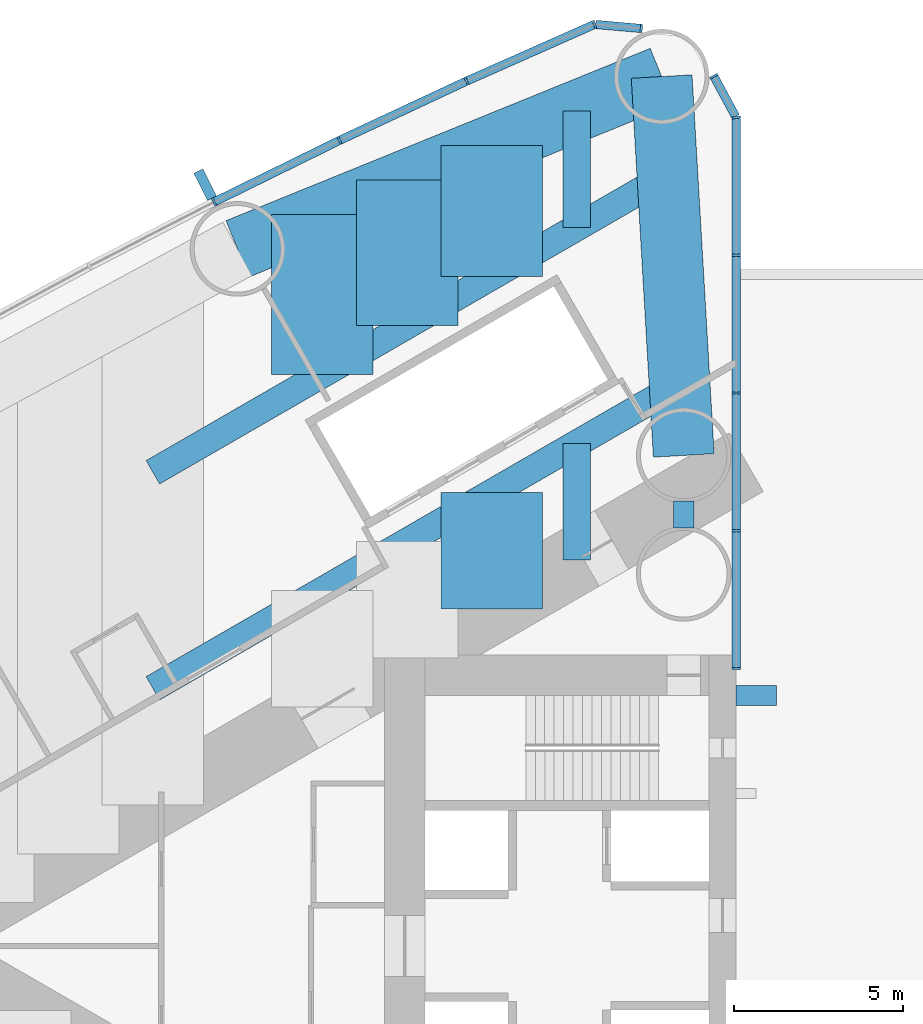
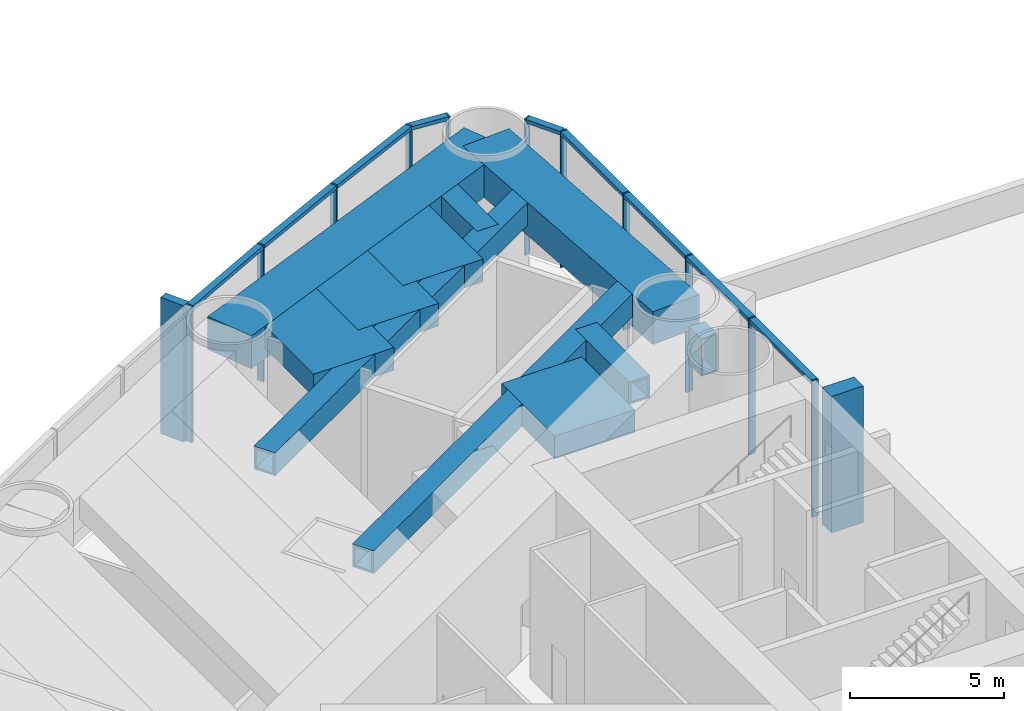
# One storey, part 9 of 23: 22 members, 11 beams, 2 elements without a shape of their own.
"""IFC4 building model written with IfcOpenShell, lengths in metres."""

from ifc_helpers import new_model, si_unit, direction, frame, origin, origin_2d, place, context, subcontext, project, spatial, rectangle, hollow_rectangle, extrude, material, material_profile, profile_set, type_object, element, aggregate, save


model = new_model("IFC4")

# Units and contexts
model_context = context("Model", 3, precision=1e-05, world=origin(), true_north=direction((0.0, 1.0)))
body_context = subcontext(model_context, "Body", "Model", "MODEL_VIEW")
ifc_project = project(units=[si_unit("LENGTHUNIT", "METRE"), si_unit("AREAUNIT", "SQUARE_METRE"), si_unit("VOLUMEUNIT", "CUBIC_METRE"), si_unit("PLANEANGLEUNIT", "RADIAN"), si_unit("MASSUNIT", "GRAM", prefix="KILO")], contexts=[model_context])

# Site, building, storey
site_placement = place(None, origin())
site = spatial("IfcSite", under=ifc_project, at=site_placement, CompositionType="ELEMENT")
building_placement = place(site_placement, origin())
building = spatial("IfcBuilding", under=site, at=building_placement, Name="Lancet Gate Hotel", CompositionType="ELEMENT")
storey_placement = place(building_placement, frame((0.0, 0.0, 12.60009765625)))
storey = spatial("IfcBuildingStorey", under=building, at=storey_placement, Name="L02", CompositionType="ELEMENT", Elevation=12.60009765625)

# Curtain wall, members
ifc_material_1 = material(Name="Aluminium curtain wall", Category="aluminium")
curtain_wall_type = type_object("IfcCurtainWallType", Name="Podium curtain wall", PredefinedType="USERDEFINED", material=ifc_material_1)
curtain_wall_1_placement = place(storey_placement, origin())
curtain_wall_1 = element("IfcCurtainWall", 1, at=curtain_wall_1_placement, inside=storey, type_object=curtain_wall_type, Name="T1 L02 curtain wall 1", ObjectType="UNITISED CURTAIN WALL", PredefinedType="USERDEFINED")
ifc_material_2 = material(Name="Aluminium mullion", Category="aluminium")
ifc_material_profile_1 = material_profile(ifc_material_2, rectangle(XDim=0.06494140625, YDim=0.25, at=origin_2d()), Name="MULLION 65x250")
ifc_profile_set_1 = profile_set([ifc_material_profile_1], Name="Aluminium mullion")
member_type_1 = type_object("IfcMemberType", Name="Aluminium mullion 65x250", PredefinedType="MULLION", material=ifc_profile_set_1)
member_1_placement = place(storey_placement, frame((-27.5, 8.199951171875, 0.0), z_axis=(0.0, 0.0, 1.0), x_axis=(0.0, 1.0, 0.0)))
member_1 = element("IfcMember", 2, at=member_1_placement, type_object=member_type_1, Name="T1 L02 curtain wall 1 mullion 1", PredefinedType="MULLION", context=body_context, shape_type="SweptSolid", body=[
    extrude(rectangle(XDim=0.06494140625, YDim=0.25, at=origin_2d()), origin(), (0.0, 0.0, 1.0), 5.39990234375),
])
member_2_placement = place(storey_placement, frame((-27.5, 12.272705078125, 0.0), z_axis=(0.0, 0.0, 1.0), x_axis=(0.0, 1.0, 0.0)))
member_2 = element("IfcMember", 3, at=member_2_placement, type_object=member_type_1, Name="T1 L02 curtain wall 1 mullion 2", PredefinedType="MULLION", context=body_context, shape_type="SweptSolid", body=[
    extrude(rectangle(XDim=0.06494140625, YDim=0.25, at=origin_2d()), origin(), (0.0, 0.0, 1.0), 5.39990234375),
])
member_3_placement = place(storey_placement, frame((-27.5, 16.345703125, 0.0), z_axis=(0.0, 0.0, 1.0), x_axis=(0.0, 1.0, 0.0)))
member_3 = element("IfcMember", 4, at=member_3_placement, type_object=member_type_1, Name="T1 L02 curtain wall 1 mullion 3", PredefinedType="MULLION", context=body_context, shape_type="SweptSolid", body=[
    extrude(rectangle(XDim=0.06494140625, YDim=0.25, at=origin_2d()), origin(), (0.0, 0.0, 1.0), 5.39990234375),
])
member_4_placement = place(storey_placement, frame((-27.5, 20.41845703125, 0.0), z_axis=(0.0, 0.0, 1.0), x_axis=(0.0, 1.0, 0.0)))
member_4 = element("IfcMember", 5, at=member_4_placement, type_object=member_type_1, Name="T1 L02 curtain wall 1 mullion 4", PredefinedType="MULLION", context=body_context, shape_type="SweptSolid", body=[
    extrude(rectangle(XDim=0.06494140625, YDim=0.25, at=origin_2d()), origin(), (0.0, 0.0, 1.0), 5.39990234375),
])
member_5_placement = place(storey_placement, frame((-27.5, 24.4912109375, 0.0), z_axis=(0.0, 0.0, 1.0), x_axis=(-0.123482502544, 0.992346749662, 0.0)))
member_5 = element("IfcMember", 6, at=member_5_placement, type_object=member_type_1, Name="T1 L02 curtain wall 1 mullion 5", PredefinedType="MULLION", context=body_context, shape_type="SweptSolid", body=[
    extrude(rectangle(XDim=0.06494140625, YDim=0.25, at=origin_2d()), origin(), (0.0, 0.0, 1.0), 5.39990234375),
])
member_6_placement = place(storey_placement, frame((-28.158935546875, 25.712890625, 0.0), z_axis=(0.0, 0.0, 1.0), x_axis=(-0.474631040972, 0.880184852714, 0.0)))
member_6 = element("IfcMember", 7, at=member_6_placement, type_object=member_type_1, Name="T1 L02 curtain wall 1 mullion 6", PredefinedType="MULLION", context=body_context, shape_type="SweptSolid", body=[
    extrude(rectangle(XDim=0.06494140625, YDim=0.25, at=origin_2d()), origin(), (0.0, 0.0, 1.0), 5.39990234375),
])

curtain_wall_2_placement = place(storey_placement, origin())
curtain_wall_2 = element("IfcCurtainWall", 8, at=curtain_wall_2_placement, inside=storey, type_object=curtain_wall_type, Name="T1 L02 curtain wall 2", ObjectType="UNITISED CURTAIN WALL", PredefinedType="USERDEFINED")
member_7_placement = place(storey_placement, frame((-30.3046875, 27.124755859375, 0.0), z_axis=(0.0, 0.0, 1.0), x_axis=(-0.99620380374, 0.087051602022, 0.0)))
member_7 = element("IfcMember", 9, at=member_7_placement, type_object=member_type_1, Name="T1 L02 curtain wall 2 mullion 1", PredefinedType="MULLION", context=body_context, shape_type="SweptSolid", body=[
    extrude(rectangle(XDim=0.06494140625, YDim=0.25, at=origin_2d()), origin(), (0.0, 0.0, 1.0), 5.39990234375),
])
member_8_placement = place(storey_placement, frame((-31.688720703125, 27.24560546875, 0.0), z_axis=(0.0, 0.0, 1.0), x_axis=(-0.957524354695, -0.288352406209, 0.0)))
member_8 = element("IfcMember", 10, at=member_8_placement, type_object=member_type_1, Name="T1 L02 curtain wall 2 mullion 2", PredefinedType="MULLION", context=body_context, shape_type="SweptSolid", body=[
    extrude(rectangle(XDim=0.06494140625, YDim=0.25, at=origin_2d()), origin(), (0.0, 0.0, 1.0), 5.39990234375),
])
member_9_placement = place(storey_placement, frame((-35.473876953125, 25.568115234375, 0.0), z_axis=(0.0, 0.0, 1.0), x_axis=(-0.910219680212, -0.414125746308, 0.0)))
member_9 = element("IfcMember", 11, at=member_9_placement, type_object=member_type_1, Name="T1 L02 curtain wall 2 mullion 3", PredefinedType="MULLION", context=body_context, shape_type="SweptSolid", body=[
    extrude(rectangle(XDim=0.06494140625, YDim=0.25, at=origin_2d()), origin(), (0.0, 0.0, 1.0), 5.39990234375),
])
member_10_placement = place(storey_placement, frame((-39.225341796875, 23.816650390625, 0.0), z_axis=(0.0, 0.0, 1.0), x_axis=(-0.901928838337, -0.431884672772, 0.0)))
member_10 = element("IfcMember", 12, at=member_10_placement, type_object=member_type_1, Name="T1 L02 curtain wall 2 mullion 4", PredefinedType="MULLION", context=body_context, shape_type="SweptSolid", body=[
    extrude(rectangle(XDim=0.06494140625, YDim=0.25, at=origin_2d()), origin(), (0.0, 0.0, 1.0), 5.39990234375),
])
member_11_placement = place(storey_placement, frame((-42.94189453125, 21.991943359375, 0.0), z_axis=(0.0, 0.0, 1.0), x_axis=(-0.893291549794, -0.449477704748, 0.0)))
member_11 = element("IfcMember", 13, at=member_11_placement, type_object=member_type_1, Name="T1 L02 curtain wall 2 mullion 5", PredefinedType="MULLION", context=body_context, shape_type="SweptSolid", body=[
    extrude(rectangle(XDim=0.06494140625, YDim=0.25, at=origin_2d()), origin(), (0.0, 0.0, 1.0), 5.39990234375),
])

# Member
ifc_material_3 = material(Name="Aluminium transom", Category="aluminium")
ifc_material_profile_2 = material_profile(ifc_material_3, rectangle(XDim=0.25, YDim=0.14990234375, at=origin_2d()), Name="TRANSOM 250x150")
ifc_profile_set_2 = profile_set([ifc_material_profile_2], Name="Aluminium transom")
member_type_2 = type_object("IfcMemberType", Name="Aluminium transom 250x150", PredefinedType="USERDEFINED", material=ifc_profile_set_2)
member_12_placement = place(storey_placement, frame((-27.5, 8.232421875, 5.324951171875), z_axis=(0.0, 1.0, 0.0), x_axis=(-1.0, 0.0, 0.0)))
member_12 = element("IfcMember", 14, at=member_12_placement, type_object=member_type_2, Name="T1 L02 curtain wall 1 transom 1", ObjectType="TRANSOM", PredefinedType="USERDEFINED", context=body_context, shape_type="SweptSolid", body=[
    extrude(rectangle(XDim=0.25, YDim=0.14990234375, at=origin_2d()), origin(), (0.0, 0.0, 1.0), 4.0078125),
])

member_13_placement = place(storey_placement, frame((-27.5, 12.30517578125, 5.324951171875), z_axis=(0.0, 1.0, 0.0), x_axis=(-1.0, 0.0, 0.0)))
member_13 = element("IfcMember", 15, at=member_13_placement, type_object=member_type_2, Name="T1 L02 curtain wall 1 transom 2", ObjectType="TRANSOM", PredefinedType="USERDEFINED", context=body_context, shape_type="SweptSolid", body=[
    extrude(rectangle(XDim=0.25, YDim=0.14990234375, at=origin_2d()), origin(), (0.0, 0.0, 1.0), 4.0078125),
])

member_14_placement = place(storey_placement, frame((-27.5, 16.378173828125, 5.324951171875), z_axis=(0.0, 1.0, 0.0), x_axis=(-1.0, 0.0, 0.0)))
member_14 = element("IfcMember", 16, at=member_14_placement, type_object=member_type_2, Name="T1 L02 curtain wall 1 transom 3", ObjectType="TRANSOM", PredefinedType="USERDEFINED", context=body_context, shape_type="SweptSolid", body=[
    extrude(rectangle(XDim=0.25, YDim=0.14990234375, at=origin_2d()), origin(), (0.0, 0.0, 1.0), 4.0078125),
])

member_15_placement = place(storey_placement, frame((-27.5, 20.450927734375, 5.324951171875), z_axis=(0.0, 1.0, 0.0), x_axis=(-1.0, 0.0, 0.0)))
member_15 = element("IfcMember", 17, at=member_15_placement, type_object=member_type_2, Name="T1 L02 curtain wall 1 transom 4", ObjectType="TRANSOM", PredefinedType="USERDEFINED", context=body_context, shape_type="SweptSolid", body=[
    extrude(rectangle(XDim=0.25, YDim=0.14990234375, at=origin_2d()), origin(), (0.0, 0.0, 1.0), 4.0078125),
])

member_16_placement = place(storey_placement, frame((-27.515380859375, 24.519775390625, 5.324951171875), z_axis=(-0.474605926905, 0.880198394765, 0.0), x_axis=(-0.880198394765, -0.474605926905, 0.0)))
member_16 = element("IfcMember", 18, at=member_16_placement, type_object=member_type_2, Name="T1 L02 curtain wall 1 transom 5", ObjectType="TRANSOM", PredefinedType="USERDEFINED", context=body_context, shape_type="SweptSolid", body=[
    extrude(rectangle(XDim=0.25, YDim=0.14990234375, at=origin_2d()), origin(), (0.0, 0.0, 1.0), 1.322998046875),
])

aggregate(curtain_wall_1, [member_1, member_2, member_3, member_4, member_5, member_6, member_12, member_13, member_14, member_15, member_16])

member_17_placement = place(storey_placement, frame((-30.337158203125, 27.127685546875, 5.324951171875), z_axis=(-0.99620591587, 0.087027427779, 0.0), x_axis=(-0.087027427779, -0.99620591587, 0.0)))
member_17 = element("IfcMember", 19, at=member_17_placement, type_object=member_type_2, Name="T1 L02 curtain wall 2 transom 1", ObjectType="TRANSOM", PredefinedType="USERDEFINED", context=body_context, shape_type="SweptSolid", body=[
    extrude(rectangle(XDim=0.25, YDim=0.14990234375, at=origin_2d()), origin(), (0.0, 0.0, 1.0), 1.32421875),
])

member_18_placement = place(storey_placement, frame((-31.71826171875, 27.232421875, 5.324951171875), z_axis=(-0.914248281954, -0.405154389022, 0.0), x_axis=(0.405154389022, -0.914248281954, 0.0)))
member_18 = element("IfcMember", 20, at=member_18_placement, type_object=member_type_2, Name="T1 L02 curtain wall 2 transom 2", ObjectType="TRANSOM", PredefinedType="USERDEFINED", context=body_context, shape_type="SweptSolid", body=[
    extrude(rectangle(XDim=0.25, YDim=0.14990234375, at=origin_2d()), origin(), (0.0, 0.0, 1.0), 4.0751953125),
])

member_19_placement = place(storey_placement, frame((-35.503173828125, 25.554443359375, 5.324951171875), z_axis=(-0.906109667261, -0.423042871228, 0.0), x_axis=(0.423042871228, -0.906109667261, 0.0)))
member_19 = element("IfcMember", 21, at=member_19_placement, type_object=member_type_2, Name="T1 L02 curtain wall 2 transom 3", ObjectType="TRANSOM", PredefinedType="USERDEFINED", context=body_context, shape_type="SweptSolid", body=[
    extrude(rectangle(XDim=0.25, YDim=0.14990234375, at=origin_2d()), origin(), (0.0, 0.0, 1.0), 4.075439453125),
])

member_20_placement = place(storey_placement, frame((-39.254638671875, 23.80224609375, 5.324951171875), z_axis=(-0.897662439958, -0.440683723194, 0.0), x_axis=(0.440683723194, -0.897662439958, 0.0)))
member_20 = element("IfcMember", 22, at=member_20_placement, type_object=member_type_2, Name="T1 L02 curtain wall 2 transom 4", ObjectType="TRANSOM", PredefinedType="USERDEFINED", context=body_context, shape_type="SweptSolid", body=[
    extrude(rectangle(XDim=0.25, YDim=0.14990234375, at=origin_2d()), origin(), (0.0, 0.0, 1.0), 4.0751953125),
])

# Beams
ifc_material_4 = material(Name="Concrete C50/60", Category="concrete")
ifc_material_profile_3 = material_profile(ifc_material_4, rectangle(XDim=1.800048828125, YDim=1.300048828125, at=origin_2d()), Name="RC 1800x1300")
ifc_profile_set_3 = profile_set([ifc_material_profile_3], Name="Concrete C50/60")
beam_type_1 = type_object("IfcBeamType", Name="Edge beam RC 1800x1300", PredefinedType="SPANDREL", material=ifc_profile_set_3)
beam_1_placement = place(storey_placement, frame((-29.703369140625, 25.70263671875, 4.5), z_axis=(-0.926463236197, -0.376385270667, 0.0), x_axis=(0.376385270667, -0.926463236197, 0.0)))
element("IfcBeam", 23, at=beam_1_placement, inside=storey, type_object=beam_type_1, Name="T1 edge beam EB1 L02", PredefinedType="SPANDREL", context=body_context, shape_type="SweptSolid", body=[
    extrude(rectangle(XDim=1.800048828125, YDim=1.300048828125, at=origin_2d()), origin(), (0.0, 0.0, 1.0), 13.537353515625),
])
beam_2_placement = place(storey_placement, frame((-29.703369140625, 25.70263671875, 4.5), z_axis=(0.058219521912, -0.998303805096, 0.0), x_axis=(0.998303805096, 0.058219521912, 0.0)))
element("IfcBeam", 24, at=beam_2_placement, inside=storey, type_object=beam_type_1, Name="T1 edge beam EB1 L02", PredefinedType="SPANDREL", context=body_context, shape_type="SweptSolid", body=[
    extrude(rectangle(XDim=1.800048828125, YDim=1.300048828125, at=origin_2d()), origin(), (0.0, 0.0, 1.0), 11.2216796875),
])

# Member
ifc_material_5 = material(Name="Concrete C60/75", Category="concrete")
ifc_material_profile_4 = material_profile(ifc_material_5, rectangle(XDim=0.60009765625, YDim=1.199951171875, at=origin_2d()), Name="FIN 600x1200")
ifc_profile_set_4 = profile_set([ifc_material_profile_4], Name="Concrete C60/75")
member_type_3 = type_object("IfcMemberType", Name="Exposed concrete buttress pilaster 600x1200", PredefinedType="USERDEFINED", material=ifc_profile_set_4)
member_21_placement = place(storey_placement, frame((-26.909912109375, 7.39990234375, 0.0), z_axis=(0.0, 0.0, 1.0), x_axis=(0.0, 1.0, 0.0)))
element("IfcMember", 25, at=member_21_placement, inside=storey, type_object=member_type_3, Name="T1 buttress pilaster S L02", ObjectType="FIN", PredefinedType="USERDEFINED", context=body_context, shape_type="SweptSolid", body=[
    extrude(rectangle(XDim=0.60009765625, YDim=1.199951171875, at=origin_2d()), origin(), (0.0, 0.0, 1.0), 5.39990234375),
])

ifc_material_6 = material(Name="Precast concrete C50/60", Category="concrete")
ifc_material_profile_5 = material_profile(ifc_material_6, rectangle(XDim=0.300048828125, YDim=0.89990234375, at=origin_2d()), Name="FIN 300x900")
ifc_profile_set_5 = profile_set([ifc_material_profile_5], Name="Precast concrete C50/60")
member_type_4 = type_object("IfcMemberType", Name="Exposed concrete fin 300x900", PredefinedType="USERDEFINED", material=ifc_profile_set_5)
member_22_placement = place(storey_placement, frame((-43.200439453125, 22.505615234375, 0.0), z_axis=(0.0, 0.0, 1.0), x_axis=(-0.893291549794, -0.449477704748, 0.0)))
member_22 = element("IfcMember", 26, at=member_22_placement, type_object=member_type_4, Name="T1 L02 curtain wall 2 fin 5", ObjectType="FIN", PredefinedType="USERDEFINED", context=body_context, shape_type="SweptSolid", body=[
    extrude(rectangle(XDim=0.300048828125, YDim=0.89990234375, at=origin_2d()), origin(), (0.0, 0.0, 1.0), 5.39990234375),
])

aggregate(curtain_wall_2, [member_7, member_8, member_9, member_10, member_11, member_22, member_17, member_18, member_19, member_20])

# Beams
ifc_material_7 = material(Name="Steel S460QL", Category="steel")
ifc_material_profile_6 = material_profile(ifc_material_7, hollow_rectangle(XDim=0.800048828125, YDim=0.89990234375, WallThickness=0.080078125, at=origin_2d()), Name="BOX 900x800x80")
ifc_profile_set_6 = profile_set([ifc_material_profile_6], Name="Steel S460QL")
beam_type_2 = type_object("IfcBeamType", Name="Floor beam BOX 900x800x80", PredefinedType="BEAM", material=ifc_profile_set_6)
beam_3_placement = place(storey_placement, frame((-32.213623046875, 24.682861328125, 4.699951171875), z_axis=(0.0, -1.0, 0.0), x_axis=(1.0, 0.0, 0.0)))
element("IfcBeam", 27, at=beam_3_placement, inside=storey, type_object=beam_type_2, Name="T1 floor beam F02SA L02", PredefinedType="BEAM", context=body_context, shape_type="SweptSolid", body=[
    extrude(hollow_rectangle(XDim=0.800048828125, YDim=0.89990234375, WallThickness=0.080078125, at=origin_2d()), origin(), (0.0, 0.0, 1.0), 3.44384765625),
])
beam_4_placement = place(storey_placement, frame((-32.213623046875, 14.85107421875, 4.699951171875), z_axis=(0.0, -1.0, 0.0), x_axis=(1.0, 0.0, 0.0)))
element("IfcBeam", 28, at=beam_4_placement, inside=storey, type_object=beam_type_2, Name="T1 floor beam F02SB L02", PredefinedType="BEAM", context=body_context, shape_type="SweptSolid", body=[
    extrude(hollow_rectangle(XDim=0.800048828125, YDim=0.89990234375, WallThickness=0.080078125, at=origin_2d()), origin(), (0.0, 0.0, 1.0), 3.44580078125),
])
ifc_material_8 = material(Name="Concrete C50/60", Category="concrete")
ifc_material_profile_7 = material_profile(ifc_material_8, rectangle(XDim=3.0, YDim=0.89990234375, at=origin_2d()), Name="RC 3000x900")
ifc_profile_set_7 = profile_set([ifc_material_profile_7], Name="Concrete C50/60")
beam_type_3 = type_object("IfcBeamType", Name="Floor beam RC 3000x900", PredefinedType="BEAM", material=ifc_profile_set_7)
beam_5_placement = place(storey_placement, frame((-34.720458984375, 23.664306640625, 4.699951171875), z_axis=(0.0, -1.0, 0.0), x_axis=(1.0, 0.0, 0.0)))
element("IfcBeam", 29, at=beam_5_placement, inside=storey, type_object=beam_type_3, Name="T1 floor beam F04SA L02", PredefinedType="BEAM", context=body_context, shape_type="SweptSolid", body=[
    extrude(rectangle(XDim=3.0, YDim=0.89990234375, at=origin_2d()), origin(), (0.0, 0.0, 1.0), 3.872802734375),
])
beam_6_placement = place(storey_placement, frame((-34.720458984375, 13.403564453125, 4.699951171875), z_axis=(0.0, -1.0, 0.0), x_axis=(1.0, 0.0, 0.0)))
element("IfcBeam", 30, at=beam_6_placement, inside=storey, type_object=beam_type_3, Name="T1 floor beam F04SB L02", PredefinedType="BEAM", context=body_context, shape_type="SweptSolid", body=[
    extrude(rectangle(XDim=3.0, YDim=0.89990234375, at=origin_2d()), origin(), (0.0, 0.0, 1.0), 3.445556640625),
])
beam_7_placement = place(storey_placement, frame((-37.227294921875, 22.64599609375, 4.699951171875), z_axis=(0.0, -1.0, 0.0), x_axis=(1.0, 0.0, 0.0)))
element("IfcBeam", 31, at=beam_7_placement, inside=storey, type_object=beam_type_3, Name="T1 floor beam F05SA L02", PredefinedType="BEAM", context=body_context, shape_type="SweptSolid", body=[
    extrude(rectangle(XDim=3.0, YDim=0.89990234375, at=origin_2d()), origin(), (0.0, 0.0, 1.0), 4.3017578125),
])
beam_8_placement = place(storey_placement, frame((-39.734130859375, 21.627685546875, 4.699951171875), z_axis=(0.0, -1.0, 0.0), x_axis=(1.0, 0.0, 0.0)))
element("IfcBeam", 32, at=beam_8_placement, inside=storey, type_object=beam_type_3, Name="T1 floor beam F07SA L02", PredefinedType="BEAM", context=body_context, shape_type="SweptSolid", body=[
    extrude(rectangle(XDim=3.0, YDim=0.89990234375, at=origin_2d()), origin(), (0.0, 0.0, 1.0), 4.73095703125),
])
ifc_material_9 = material(Name="Steel S460QL", Category="steel")
ifc_material_profile_8 = material_profile(ifc_material_9, hollow_rectangle(XDim=0.60009765625, YDim=1.5, WallThickness=0.050048828125, at=origin_2d()), Name="BOX 1500x600x50")
ifc_profile_set_8 = profile_set([ifc_material_profile_8], Name="Steel S460QL")
beam_type_4 = type_object("IfcBeamType", Name="Inner-face link beam BOX 1500x600x50", PredefinedType="BEAM", material=ifc_profile_set_8)
beam_9_placement = place(storey_placement, frame((-29.050048828125, 13.14990234375, 4.39990234375), z_axis=(0.0, -1.0, 0.0), x_axis=(1.0, 0.0, 0.0)))
element("IfcBeam", 33, at=beam_9_placement, inside=storey, type_object=beam_type_4, Name="T1 inner-face link beam LK1 L02", PredefinedType="BEAM", context=body_context, shape_type="SweptSolid", body=[
    extrude(hollow_rectangle(XDim=0.60009765625, YDim=1.5, WallThickness=0.050048828125, at=origin_2d()), origin(), (0.0, 0.0, 1.0), 0.7998046875),
])
ifc_material_10 = material(Name="Steel S460QL", Category="steel")
ifc_material_profile_9 = material_profile(ifc_material_10, hollow_rectangle(XDim=0.800048828125, YDim=0.89990234375, WallThickness=0.080078125, at=origin_2d()), Name="BOX 900x800x80")
ifc_profile_set_9 = profile_set([ifc_material_profile_9], Name="Steel S460QL")
beam_type_5 = type_object("IfcBeamType", Name="Trimmer beam BOX 900x800x80", PredefinedType="BEAM", material=ifc_profile_set_9)
beam_10_placement = place(storey_placement, frame((-29.1728515625, 16.60693359375, 4.699951171875), z_axis=(-0.866002245839, -0.500040108593, 0.0), x_axis=(0.500040108593, -0.866002245839, 0.0)))
element("IfcBeam", 34, at=beam_10_placement, inside=storey, type_object=beam_type_5, Name="T1 trimmer beam TR01S L02", PredefinedType="BEAM", context=body_context, shape_type="SweptSolid", body=[
    extrude(hollow_rectangle(XDim=0.800048828125, YDim=0.89990234375, WallThickness=0.080078125, at=origin_2d()), origin(), (0.0, 0.0, 1.0), 17.98486328125),
])
beam_11_placement = place(storey_placement, frame((-29.533203125, 22.786865234375, 4.699951171875), z_axis=(-0.866000680387, -0.500042819735, 0.0), x_axis=(0.500042819735, -0.866000680387, 0.0)))
element("IfcBeam", 35, at=beam_11_placement, inside=storey, type_object=beam_type_5, Name="T1 trimmer beam TR02S L02", PredefinedType="BEAM", context=body_context, shape_type="SweptSolid", body=[
    extrude(hollow_rectangle(XDim=0.800048828125, YDim=0.89990234375, WallThickness=0.080078125, at=origin_2d()), origin(), (0.0, 0.0, 1.0), 17.56884765625),
])

save(model, "model.ifc")
